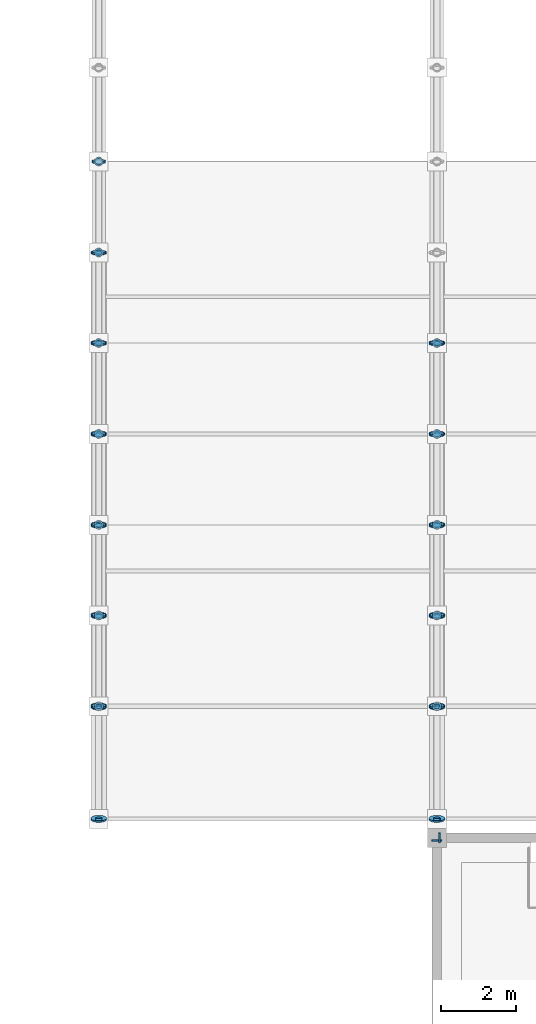
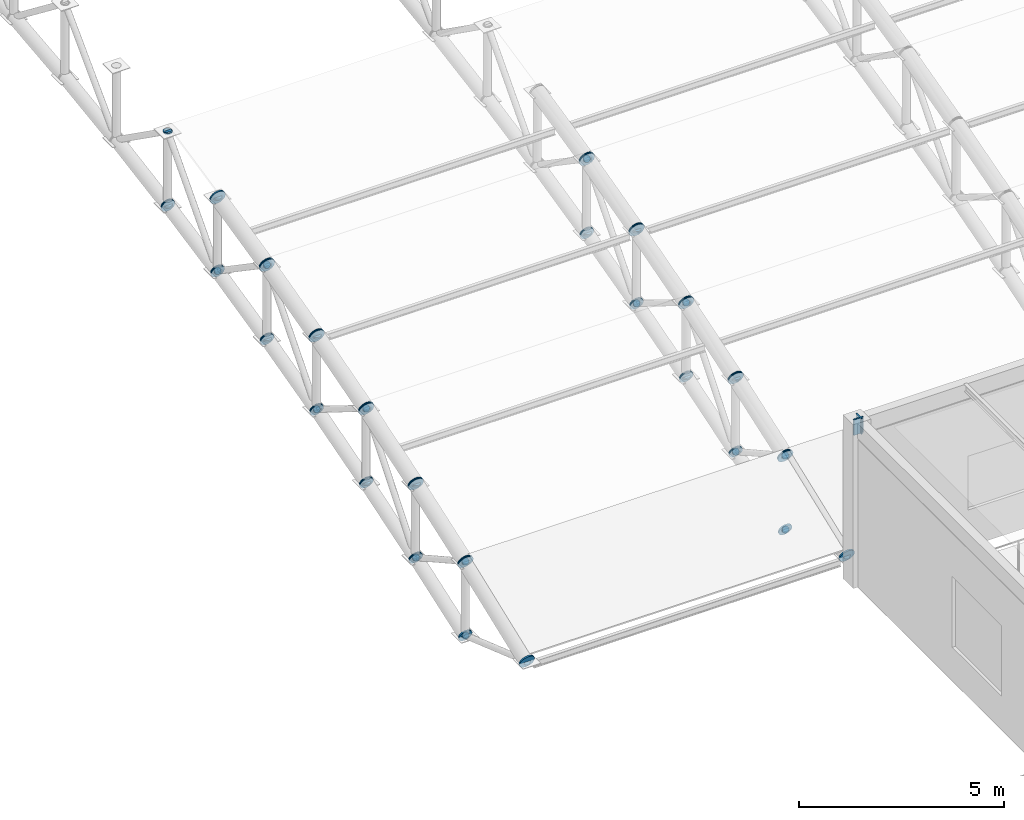
# One storey, part 145 of 195: 96 discrete accessories.
"""IFC4 building model written with IfcOpenShell, lengths in metres."""

from ifc_helpers import new_model, si_unit, direction, frame, origin, origin_2d, place, context, subcontext, project, spatial, rectangle, circle, extrude, material, element, save


model = new_model("IFC4")

# Units and contexts
model_context = context("Model", 3, precision=1e-05, world=origin(), true_north=direction((0.0, 1.0)))
body_context = subcontext(model_context, "Body", "Model", "MODEL_VIEW")
ifc_project = project(units=[si_unit("LENGTHUNIT", "METRE"), si_unit("AREAUNIT", "SQUARE_METRE"), si_unit("VOLUMEUNIT", "CUBIC_METRE"), si_unit("PLANEANGLEUNIT", "RADIAN"), si_unit("MASSUNIT", "GRAM", prefix="KILO")], contexts=[model_context])

# Site, building, storey
site_placement = place(None, origin())
site = spatial("IfcSite", under=ifc_project, at=site_placement, CompositionType="ELEMENT")
building_placement = place(site_placement, origin())
building = spatial("IfcBuilding", under=site, at=building_placement, Name="Marlcrest Central Station", CompositionType="ELEMENT")
storey_placement = place(building_placement, frame((0.0, 0.0, 9.800048828125)))
storey = spatial("IfcBuildingStorey", under=building, at=storey_placement, Name="L02", CompositionType="ELEMENT", Elevation=9.800048828125)

# Discrete accessories
ifc_material = material(Name="Steel S355", Category="steel")
for number, where, z_axis, x_axis, name in (
    (1, (153.045166015625, 33.0, 4.64501953125), (1.0, 0.0, 0.0), (0.0, 1.0, 0.0), "endcap-bm-SP-02-L02-00973-s"),
    (2, (153.0, 32.9150390625, 4.64501953125), (0.0, 1.0, 0.0), (-1.0, 0.0, 0.0), "endcap-bm-SP-02-L02-00981-e"),
):
    element("IfcDiscreteAccessory", number, at=place(storey_placement, frame(where, z_axis=z_axis, x_axis=x_axis)), inside=storey, material=ifc_material, Name=name, ObjectType="END_CAP_PLATE", PredefinedType="BRACKET", context=body_context, shape_type="SweptSolid", body=[
        extrude(rectangle(XDim=0.26611328125, YDim=0.466064453125, at=origin_2d()), origin(), (0.0, 0.0, 1.0), 0.0400390625),
    ])
for number, where, z_axis, x_axis, name in (
    (3, (144.0, 33.486083984375, 0.4404296875), (0.0, 0.933324071143, 0.359035065453), (-1.0, 0.0, 0.0), "endcap-mem-AC-01-L02-01090-s"),
    (4, (144.0, 36.4765625, 1.5908203125), (0.0, 0.933324071143, 0.359035065453), (-1.0, 0.0, 0.0), "endcap-mem-AC-01-L02-01090-e"),
):
    element("IfcDiscreteAccessory", number, at=place(storey_placement, frame(where, z_axis=z_axis, x_axis=x_axis)), inside=storey, material=ifc_material, Name=name, ObjectType="END_CAP_PLATE", PredefinedType="BRACKET", context=body_context, shape_type="SweptSolid", body=[
        extrude(circle(Radius=0.211181640625, at=origin_2d()), origin(), (0.0, 0.0, 1.0), 0.0400390625),
    ])
for number, where, z_axis, x_axis, name in (
    (5, (144.0, 36.51416015625, -0.60498046875), (0.0, -0.944260188635, 0.329200085296), (1.0, 0.0, 0.0), "endcap-mem-AD-01-L02-01091-s"),
    (6, (144.0, 33.523681640625, 0.4375), (0.0, -0.944260188635, 0.329200085296), (1.0, 0.0, 0.0), "endcap-mem-AD-01-L02-01091-e"),
):
    element("IfcDiscreteAccessory", number, at=place(storey_placement, frame(where, z_axis=z_axis, x_axis=x_axis)), inside=storey, material=ifc_material, Name=name, ObjectType="END_CAP_PLATE", PredefinedType="BRACKET", context=body_context, shape_type="SweptSolid", body=[
        extrude(circle(Radius=0.092041015625, at=origin_2d()), origin(), (0.0, 0.0, 1.0), 0.0400390625),
    ])
for number, where, z_axis, x_axis, name in (
    (7, (144.0, 36.48583984375, 1.594970703125), (0.0, 0.94353735649, 0.331266142109), (-1.0, 0.0, 0.0), "endcap-mem-AC-01-L02-01092-s"),
    (8, (144.0, 38.896240234375, 2.441162109375), (0.0, 0.94353735649, 0.331266142109), (-1.0, 0.0, 0.0), "endcap-mem-AC-01-L02-01092-e"),
):
    element("IfcDiscreteAccessory", number, at=place(storey_placement, frame(where, z_axis=z_axis, x_axis=x_axis)), inside=storey, material=ifc_material, Name=name, ObjectType="END_CAP_PLATE", PredefinedType="BRACKET", context=body_context, shape_type="SweptSolid", body=[
        extrude(circle(Radius=0.211181640625, at=origin_2d()), origin(), (0.0, 0.0, 1.0), 0.0400390625),
    ])
for number, where, z_axis, x_axis, name in (
    (9, (144.0, 36.48583984375, -0.60498046875), (0.0, 0.94353735649, 0.331266142109), (-1.0, 0.0, 0.0), "endcap-mem-AC-02-L02-01093-s"),
    (10, (144.0, 38.896240234375, 0.2412109375), (0.0, 0.94353735649, 0.331266142109), (-1.0, 0.0, 0.0), "endcap-mem-AC-02-L02-01093-e"),
):
    element("IfcDiscreteAccessory", number, at=place(storey_placement, frame(where, z_axis=z_axis, x_axis=x_axis)), inside=storey, material=ifc_material, Name=name, ObjectType="END_CAP_PLATE", PredefinedType="BRACKET", context=body_context, shape_type="SweptSolid", body=[
        extrude(circle(Radius=0.185791015625, at=origin_2d()), origin(), (0.0, 0.0, 1.0), 0.0400390625),
    ])
for number, where, z_axis, x_axis, name in (
    (11, (144.0, 36.5, -0.614990234375), (0.0, 0.0, 1.0), (1.0, 0.0, 0.0), "endcap-mem-AP-01-L02-01094-s"),
    (12, (144.0, 36.5, 1.574951171875), (0.0, 0.0, 1.0), (1.0, 0.0, 0.0), "endcap-mem-AP-01-L02-01094-e"),
):
    element("IfcDiscreteAccessory", number, at=place(storey_placement, frame(where, z_axis=z_axis, x_axis=x_axis)), inside=storey, material=ifc_material, Name=name, ObjectType="END_CAP_PLATE", PredefinedType="BRACKET", context=body_context, shape_type="SweptSolid", body=[
        extrude(circle(Radius=0.117431640625, at=origin_2d()), origin(), (0.0, 0.0, 1.0), 0.0400390625),
    ])
for number, where, z_axis, x_axis, name in (
    (13, (144.0, 36.48681640625, 1.607177734375), (0.0, 0.873245653167, -0.487280236851), (-1.0, 0.0, 0.0), "endcap-mem-AD-01-L02-01095-s"),
    (14, (144.0, 38.898193359375, 0.26171875), (0.0, 0.873245653167, -0.487280236851), (-1.0, 0.0, 0.0), "endcap-mem-AD-01-L02-01095-e"),
):
    element("IfcDiscreteAccessory", number, at=place(storey_placement, frame(where, z_axis=z_axis, x_axis=x_axis)), inside=storey, material=ifc_material, Name=name, ObjectType="END_CAP_PLATE", PredefinedType="BRACKET", context=body_context, shape_type="SweptSolid", body=[
        extrude(circle(Radius=0.092041015625, at=origin_2d()), origin(), (0.0, 0.0, 1.0), 0.0400390625),
    ])
for number, where, z_axis, x_axis, name in (
    (15, (144.0, 38.90576171875, 2.44482421875), (0.0, 0.952116828449, 0.305734435391), (-1.0, 0.0, 0.0), "endcap-mem-AC-01-L02-01096-s"),
    (16, (144.0, 41.306396484375, 3.2158203125), (0.0, 0.952116828449, 0.305734435391), (-1.0, 0.0, 0.0), "endcap-mem-AC-01-L02-01096-e"),
):
    element("IfcDiscreteAccessory", number, at=place(storey_placement, frame(where, z_axis=z_axis, x_axis=x_axis)), inside=storey, material=ifc_material, Name=name, ObjectType="END_CAP_PLATE", PredefinedType="BRACKET", context=body_context, shape_type="SweptSolid", body=[
        extrude(circle(Radius=0.211181640625, at=origin_2d()), origin(), (0.0, 0.0, 1.0), 0.0400390625),
    ])
for number, where, z_axis, x_axis, name in (
    (17, (144.0, 38.90576171875, 0.244873046875), (0.0, 0.952116828449, 0.305734435391), (-1.0, 0.0, 0.0), "endcap-mem-AC-02-L02-01097-s"),
    (18, (144.0, 41.306396484375, 1.015869140625), (0.0, 0.952116828449, 0.305734435391), (-1.0, 0.0, 0.0), "endcap-mem-AC-02-L02-01097-e"),
):
    element("IfcDiscreteAccessory", number, at=place(storey_placement, frame(where, z_axis=z_axis, x_axis=x_axis)), inside=storey, material=ifc_material, Name=name, ObjectType="END_CAP_PLATE", PredefinedType="BRACKET", context=body_context, shape_type="SweptSolid", body=[
        extrude(circle(Radius=0.185791015625, at=origin_2d()), origin(), (0.0, 0.0, 1.0), 0.0400390625),
    ])
for number, where, z_axis, x_axis, name in (
    (19, (144.0, 38.919921875, 0.234619140625), (0.0, 0.0, 1.0), (1.0, 0.0, 0.0), "endcap-mem-AP-01-L02-01098-s"),
    (20, (144.0, 38.919921875, 2.424560546875), (0.0, 0.0, 1.0), (1.0, 0.0, 0.0), "endcap-mem-AP-01-L02-01098-e"),
):
    element("IfcDiscreteAccessory", number, at=place(storey_placement, frame(where, z_axis=z_axis, x_axis=x_axis)), inside=storey, material=ifc_material, Name=name, ObjectType="END_CAP_PLATE", PredefinedType="BRACKET", context=body_context, shape_type="SweptSolid", body=[
        extrude(circle(Radius=0.117431640625, at=origin_2d()), origin(), (0.0, 0.0, 1.0), 0.0400390625),
    ])
for number, where, z_axis, x_axis, name in (
    (21, (144.0, 38.910400390625, 0.23779296875), (0.0, 0.62962929743, 0.776895712318), (-1.0, 0.0, 0.0), "endcap-mem-AD-01-L02-01099-s"),
    (22, (144.0, 41.314453125, 3.203857421875), (0.0, 0.62962929743, 0.776895712318), (-1.0, 0.0, 0.0), "endcap-mem-AD-01-L02-01099-e"),
):
    element("IfcDiscreteAccessory", number, at=place(storey_placement, frame(where, z_axis=z_axis, x_axis=x_axis)), inside=storey, material=ifc_material, Name=name, ObjectType="END_CAP_PLATE", PredefinedType="BRACKET", context=body_context, shape_type="SweptSolid", body=[
        extrude(circle(Radius=0.092041015625, at=origin_2d()), origin(), (0.0, 0.0, 1.0), 0.0400390625),
    ])
for number, where, z_axis, x_axis, name in (
    (23, (144.0, 41.315673828125, 3.21923828125), (0.0, 0.960130083362, 0.27955361386), (-1.0, 0.0, 0.0), "endcap-mem-AC-01-L02-01100-s"),
    (24, (144.0, 43.72607421875, 3.9208984375), (0.0, 0.960130083362, 0.27955361386), (-1.0, 0.0, 0.0), "endcap-mem-AC-01-L02-01100-e"),
):
    element("IfcDiscreteAccessory", number, at=place(storey_placement, frame(where, z_axis=z_axis, x_axis=x_axis)), inside=storey, material=ifc_material, Name=name, ObjectType="END_CAP_PLATE", PredefinedType="BRACKET", context=body_context, shape_type="SweptSolid", body=[
        extrude(circle(Radius=0.211181640625, at=origin_2d()), origin(), (0.0, 0.0, 1.0), 0.0400390625),
    ])
for number, where, z_axis, x_axis, name in (
    (25, (144.0, 41.315673828125, 1.019287109375), (0.0, 0.960130083362, 0.27955361386), (-1.0, 0.0, 0.0), "endcap-mem-AC-02-L02-01101-s"),
    (26, (144.0, 43.72607421875, 1.720947265625), (0.0, 0.960130083362, 0.27955361386), (-1.0, 0.0, 0.0), "endcap-mem-AC-02-L02-01101-e"),
):
    element("IfcDiscreteAccessory", number, at=place(storey_placement, frame(where, z_axis=z_axis, x_axis=x_axis)), inside=storey, material=ifc_material, Name=name, ObjectType="END_CAP_PLATE", PredefinedType="BRACKET", context=body_context, shape_type="SweptSolid", body=[
        extrude(circle(Radius=0.185791015625, at=origin_2d()), origin(), (0.0, 0.0, 1.0), 0.0400390625),
    ])
for number, where, z_axis, x_axis, name in (
    (27, (144.0, 41.330078125, 1.008544921875), (0.0, 0.0, 1.0), (1.0, 0.0, 0.0), "endcap-mem-AP-01-L02-01102-s"),
    (28, (144.0, 41.330078125, 3.198486328125), (0.0, 0.0, 1.0), (1.0, 0.0, 0.0), "endcap-mem-AP-01-L02-01102-e"),
):
    element("IfcDiscreteAccessory", number, at=place(storey_placement, frame(where, z_axis=z_axis, x_axis=x_axis)), inside=storey, material=ifc_material, Name=name, ObjectType="END_CAP_PLATE", PredefinedType="BRACKET", context=body_context, shape_type="SweptSolid", body=[
        extrude(circle(Radius=0.117431640625, at=origin_2d()), origin(), (0.0, 0.0, 1.0), 0.0400390625),
    ])
for number, where, z_axis, x_axis, name in (
    (29, (144.0, 41.3173828125, 3.231201171875), (0.0, 0.850687380038, -0.525671933286), (-1.0, 0.0, 0.0), "endcap-mem-AD-01-L02-01103-s"),
    (30, (144.0, 43.728759765625, 1.7412109375), (0.0, 0.850687380038, -0.525671933286), (-1.0, 0.0, 0.0), "endcap-mem-AD-01-L02-01103-e"),
):
    element("IfcDiscreteAccessory", number, at=place(storey_placement, frame(where, z_axis=z_axis, x_axis=x_axis)), inside=storey, material=ifc_material, Name=name, ObjectType="END_CAP_PLATE", PredefinedType="BRACKET", context=body_context, shape_type="SweptSolid", body=[
        extrude(circle(Radius=0.092041015625, at=origin_2d()), origin(), (0.0, 0.0, 1.0), 0.0400390625),
    ])
for number, where, z_axis, x_axis, name in (
    (31, (144.0, 43.735595703125, 3.924072265625), (0.0, 0.967539481681, 0.252719906989), (-1.0, 0.0, 0.0), "endcap-mem-AC-01-L02-01104-s"),
    (32, (144.0, 46.145751953125, 4.5537109375), (0.0, 0.967539481681, 0.252719906989), (-1.0, 0.0, 0.0), "endcap-mem-AC-01-L02-01104-e"),
):
    element("IfcDiscreteAccessory", number, at=place(storey_placement, frame(where, z_axis=z_axis, x_axis=x_axis)), inside=storey, material=ifc_material, Name=name, ObjectType="END_CAP_PLATE", PredefinedType="BRACKET", context=body_context, shape_type="SweptSolid", body=[
        extrude(circle(Radius=0.211181640625, at=origin_2d()), origin(), (0.0, 0.0, 1.0), 0.0400390625),
    ])
for number, where, z_axis, x_axis, name in (
    (33, (144.0, 43.735595703125, 1.72412109375), (0.0, 0.967563345928, 0.252628524946), (-1.0, 0.0, 0.0), "endcap-mem-AC-02-L02-01105-s"),
    (34, (144.0, 46.145751953125, 2.353515625), (0.0, 0.967563345928, 0.252628524946), (-1.0, 0.0, 0.0), "endcap-mem-AC-02-L02-01105-e"),
):
    element("IfcDiscreteAccessory", number, at=place(storey_placement, frame(where, z_axis=z_axis, x_axis=x_axis)), inside=storey, material=ifc_material, Name=name, ObjectType="END_CAP_PLATE", PredefinedType="BRACKET", context=body_context, shape_type="SweptSolid", body=[
        extrude(circle(Radius=0.185791015625, at=origin_2d()), origin(), (0.0, 0.0, 1.0), 0.0400390625),
    ])
for number, where, z_axis, x_axis, name in (
    (35, (144.0, 43.75, 1.713134765625), (0.0, 0.0, 1.0), (1.0, 0.0, 0.0), "endcap-mem-AP-01-L02-01106-s"),
    (36, (144.0, 43.75, 3.903076171875), (0.0, 0.0, 1.0), (1.0, 0.0, 0.0), "endcap-mem-AP-01-L02-01106-e"),
):
    element("IfcDiscreteAccessory", number, at=place(storey_placement, frame(where, z_axis=z_axis, x_axis=x_axis)), inside=storey, material=ifc_material, Name=name, ObjectType="END_CAP_PLATE", PredefinedType="BRACKET", context=body_context, shape_type="SweptSolid", body=[
        extrude(circle(Radius=0.117431640625, at=origin_2d()), origin(), (0.0, 0.0, 1.0), 0.0400390625),
    ])
for number, where, z_axis, x_axis, name in (
    (37, (144.0, 43.740234375, 1.716552734375), (0.0, 0.649624779144, 0.760254987699), (-1.0, 0.0, 0.0), "endcap-mem-AD-01-L02-01107-s"),
    (38, (144.0, 46.153564453125, 4.541015625), (0.0, 0.649624779144, 0.760254987699), (-1.0, 0.0, 0.0), "endcap-mem-AD-01-L02-01107-e"),
):
    element("IfcDiscreteAccessory", number, at=place(storey_placement, frame(where, z_axis=z_axis, x_axis=x_axis)), inside=storey, material=ifc_material, Name=name, ObjectType="END_CAP_PLATE", PredefinedType="BRACKET", context=body_context, shape_type="SweptSolid", body=[
        extrude(circle(Radius=0.092041015625, at=origin_2d()), origin(), (0.0, 0.0, 1.0), 0.0400390625),
    ])
for number, where, z_axis, x_axis, name in (
    (39, (144.0, 46.1552734375, 4.556640625), (0.0, 0.974329612642, 0.225126200004), (-1.0, 0.0, 0.0), "endcap-mem-AC-01-L02-01108-s"),
    (40, (144.0, 48.5556640625, 5.111328125), (0.0, 0.974329612642, 0.225126200004), (-1.0, 0.0, 0.0), "endcap-mem-AC-01-L02-01108-e"),
):
    element("IfcDiscreteAccessory", number, at=place(storey_placement, frame(where, z_axis=z_axis, x_axis=x_axis)), inside=storey, material=ifc_material, Name=name, ObjectType="END_CAP_PLATE", PredefinedType="BRACKET", context=body_context, shape_type="SweptSolid", body=[
        extrude(circle(Radius=0.211181640625, at=origin_2d()), origin(), (0.0, 0.0, 1.0), 0.0400390625),
    ])
for number, where, z_axis, x_axis, name in (
    (41, (144.0, 46.1552734375, 2.3564453125), (0.0, 0.974307959875, 0.225219891049), (-1.0, 0.0, 0.0), "endcap-mem-AC-02-L02-01109-s"),
    (42, (144.0, 48.5556640625, 2.911376953125), (0.0, 0.974307959875, 0.225219891049), (-1.0, 0.0, 0.0), "endcap-mem-AC-02-L02-01109-e"),
):
    element("IfcDiscreteAccessory", number, at=place(storey_placement, frame(where, z_axis=z_axis, x_axis=x_axis)), inside=storey, material=ifc_material, Name=name, ObjectType="END_CAP_PLATE", PredefinedType="BRACKET", context=body_context, shape_type="SweptSolid", body=[
        extrude(circle(Radius=0.185791015625, at=origin_2d()), origin(), (0.0, 0.0, 1.0), 0.0400390625),
    ])
for number, where, z_axis, x_axis, name in (
    (43, (144.0, 46.169921875, 2.344970703125), (0.0, 0.0, 1.0), (1.0, 0.0, 0.0), "endcap-mem-AP-01-L02-01110-s"),
    (44, (144.0, 46.169921875, 4.53515625), (0.0, 0.0, 1.0), (1.0, 0.0, 0.0), "endcap-mem-AP-01-L02-01110-e"),
):
    element("IfcDiscreteAccessory", number, at=place(storey_placement, frame(where, z_axis=z_axis, x_axis=x_axis)), inside=storey, material=ifc_material, Name=name, ObjectType="END_CAP_PLATE", PredefinedType="BRACKET", context=body_context, shape_type="SweptSolid", body=[
        extrude(circle(Radius=0.117431640625, at=origin_2d()), origin(), (0.0, 0.0, 1.0), 0.0400390625),
    ])
for number, where, z_axis, x_axis, name in (
    (45, (144.0, 46.157470703125, 4.568603515625), (0.0, 0.82626275624, -0.563284881432), (-1.0, 0.0, 0.0), "endcap-mem-AD-01-L02-01111-s"),
    (46, (144.0, 48.559326171875, 2.93115234375), (0.0, 0.82626275624, -0.563284881432), (-1.0, 0.0, 0.0), "endcap-mem-AD-01-L02-01111-e"),
):
    element("IfcDiscreteAccessory", number, at=place(storey_placement, frame(where, z_axis=z_axis, x_axis=x_axis)), inside=storey, material=ifc_material, Name=name, ObjectType="END_CAP_PLATE", PredefinedType="BRACKET", context=body_context, shape_type="SweptSolid", body=[
        extrude(circle(Radius=0.092041015625, at=origin_2d()), origin(), (0.0, 0.0, 1.0), 0.0400390625),
    ])
for number, where, z_axis, x_axis, name in (
    (47, (144.0, 48.5654296875, 2.9140625), (0.0, 0.980359417961, 0.197219196874), (-1.0, 0.0, 0.0), "endcap-mem-AC-02-L02-01113-s"),
    (48, (144.0, 50.9755859375, 3.39892578125), (0.0, 0.980359417961, 0.197219196874), (-1.0, 0.0, 0.0), "endcap-mem-AC-02-L02-01113-e"),
):
    element("IfcDiscreteAccessory", number, at=place(storey_placement, frame(where, z_axis=z_axis, x_axis=x_axis)), inside=storey, material=ifc_material, Name=name, ObjectType="END_CAP_PLATE", PredefinedType="BRACKET", context=body_context, shape_type="SweptSolid", body=[
        extrude(circle(Radius=0.185791015625, at=origin_2d()), origin(), (0.0, 0.0, 1.0), 0.0400390625),
    ])
for number, where, z_axis, x_axis, name in (
    (49, (144.0, 48.580078125, 2.902099609375), (0.0, 0.0, 1.0), (1.0, 0.0, 0.0), "endcap-mem-AP-01-L02-01114-s"),
    (50, (144.0, 48.580078125, 5.092041015625), (0.0, 0.0, 1.0), (1.0, 0.0, 0.0), "endcap-mem-AP-01-L02-01114-e"),
):
    element("IfcDiscreteAccessory", number, at=place(storey_placement, frame(where, z_axis=z_axis, x_axis=x_axis)), inside=storey, material=ifc_material, Name=name, ObjectType="END_CAP_PLATE", PredefinedType="BRACKET", context=body_context, shape_type="SweptSolid", body=[
        extrude(circle(Radius=0.117431640625, at=origin_2d()), origin(), (0.0, 0.0, 1.0), 0.0400390625),
    ])
for number, where, z_axis, x_axis, name in (
    (51, (144.0, 48.570068359375, 2.90576171875), (0.0, 0.669244457479, 0.743042297675), (-1.0, 0.0, 0.0), "endcap-mem-AD-01-L02-01115-s"),
    (52, (144.0, 50.983154296875, 5.585205078125), (0.0, 0.669244457479, 0.743042297675), (-1.0, 0.0, 0.0), "endcap-mem-AD-01-L02-01115-e"),
):
    element("IfcDiscreteAccessory", number, at=place(storey_placement, frame(where, z_axis=z_axis, x_axis=x_axis)), inside=storey, material=ifc_material, Name=name, ObjectType="END_CAP_PLATE", PredefinedType="BRACKET", context=body_context, shape_type="SweptSolid", body=[
        extrude(circle(Radius=0.092041015625, at=origin_2d()), origin(), (0.0, 0.0, 1.0), 0.0400390625),
    ])
discrete_accessory_1_placement = place(storey_placement, frame((144.0, 50.985107421875, 3.4013671875), z_axis=(0.0, 0.98574109921, 0.168269086076), x_axis=(-1.0, 0.0, 0.0)))
element("IfcDiscreteAccessory", 53, at=discrete_accessory_1_placement, inside=storey, material=ifc_material, Name="endcap-mem-AC-02-L02-01117-s", ObjectType="END_CAP_PLATE", PredefinedType="BRACKET", context=body_context, shape_type="SweptSolid", body=[
    extrude(circle(Radius=0.185791015625, at=origin_2d()), origin(), (0.0, 0.0, 1.0), 0.0400390625),
])
for number, where, z_axis, x_axis, name in (
    (54, (144.0, 51.0, 3.388916015625), (0.0, 0.0, 1.0), (1.0, 0.0, 0.0), "endcap-mem-AP-01-L02-01118-s"),
    (55, (144.0, 51.0, 5.578857421875), (0.0, 0.0, 1.0), (1.0, 0.0, 0.0), "endcap-mem-AP-01-L02-01118-e"),
):
    element("IfcDiscreteAccessory", number, at=place(storey_placement, frame(where, z_axis=z_axis, x_axis=x_axis)), inside=storey, material=ifc_material, Name=name, ObjectType="END_CAP_PLATE", PredefinedType="BRACKET", context=body_context, shape_type="SweptSolid", body=[
        extrude(circle(Radius=0.117431640625, at=origin_2d()), origin(), (0.0, 0.0, 1.0), 0.0400390625),
    ])
for number, where, z_axis, x_axis, name in (
    (56, (153.0, 33.486083984375, 0.4404296875), (0.0, 0.933324071143, 0.359035065453), (-1.0, 0.0, 0.0), "endcap-mem-AC-01-L02-01206-s"),
    (57, (153.0, 36.4765625, 1.5908203125), (0.0, 0.933324071143, 0.359035065453), (-1.0, 0.0, 0.0), "endcap-mem-AC-01-L02-01206-e"),
):
    element("IfcDiscreteAccessory", number, at=place(storey_placement, frame(where, z_axis=z_axis, x_axis=x_axis)), inside=storey, material=ifc_material, Name=name, ObjectType="END_CAP_PLATE", PredefinedType="BRACKET", context=body_context, shape_type="SweptSolid", body=[
        extrude(circle(Radius=0.211181640625, at=origin_2d()), origin(), (0.0, 0.0, 1.0), 0.0400390625),
    ])
for number, where, z_axis, x_axis, name in (
    (58, (153.0, 36.51416015625, -0.60498046875), (0.0, -0.944260188635, 0.329200085296), (1.0, 0.0, 0.0), "endcap-mem-AD-01-L02-01207-s"),
    (59, (153.0, 33.523681640625, 0.4375), (0.0, -0.944260188635, 0.329200085296), (1.0, 0.0, 0.0), "endcap-mem-AD-01-L02-01207-e"),
):
    element("IfcDiscreteAccessory", number, at=place(storey_placement, frame(where, z_axis=z_axis, x_axis=x_axis)), inside=storey, material=ifc_material, Name=name, ObjectType="END_CAP_PLATE", PredefinedType="BRACKET", context=body_context, shape_type="SweptSolid", body=[
        extrude(circle(Radius=0.092041015625, at=origin_2d()), origin(), (0.0, 0.0, 1.0), 0.0400390625),
    ])
for number, where, z_axis, x_axis, name in (
    (60, (153.0, 36.48583984375, 1.594970703125), (0.0, 0.94353735649, 0.331266142109), (-1.0, 0.0, 0.0), "endcap-mem-AC-01-L02-01208-s"),
    (61, (153.0, 38.896240234375, 2.441162109375), (0.0, 0.94353735649, 0.331266142109), (-1.0, 0.0, 0.0), "endcap-mem-AC-01-L02-01208-e"),
):
    element("IfcDiscreteAccessory", number, at=place(storey_placement, frame(where, z_axis=z_axis, x_axis=x_axis)), inside=storey, material=ifc_material, Name=name, ObjectType="END_CAP_PLATE", PredefinedType="BRACKET", context=body_context, shape_type="SweptSolid", body=[
        extrude(circle(Radius=0.211181640625, at=origin_2d()), origin(), (0.0, 0.0, 1.0), 0.0400390625),
    ])
for number, where, z_axis, x_axis, name in (
    (62, (153.0, 36.48583984375, -0.60498046875), (0.0, 0.94353735649, 0.331266142109), (-1.0, 0.0, 0.0), "endcap-mem-AC-02-L02-01209-s"),
    (63, (153.0, 38.896240234375, 0.2412109375), (0.0, 0.94353735649, 0.331266142109), (-1.0, 0.0, 0.0), "endcap-mem-AC-02-L02-01209-e"),
):
    element("IfcDiscreteAccessory", number, at=place(storey_placement, frame(where, z_axis=z_axis, x_axis=x_axis)), inside=storey, material=ifc_material, Name=name, ObjectType="END_CAP_PLATE", PredefinedType="BRACKET", context=body_context, shape_type="SweptSolid", body=[
        extrude(circle(Radius=0.185791015625, at=origin_2d()), origin(), (0.0, 0.0, 1.0), 0.0400390625),
    ])
for number, where, z_axis, x_axis, name in (
    (64, (153.0, 36.5, -0.614990234375), (0.0, 0.0, 1.0), (1.0, 0.0, 0.0), "endcap-mem-AP-01-L02-01210-s"),
    (65, (153.0, 36.5, 1.574951171875), (0.0, 0.0, 1.0), (1.0, 0.0, 0.0), "endcap-mem-AP-01-L02-01210-e"),
):
    element("IfcDiscreteAccessory", number, at=place(storey_placement, frame(where, z_axis=z_axis, x_axis=x_axis)), inside=storey, material=ifc_material, Name=name, ObjectType="END_CAP_PLATE", PredefinedType="BRACKET", context=body_context, shape_type="SweptSolid", body=[
        extrude(circle(Radius=0.117431640625, at=origin_2d()), origin(), (0.0, 0.0, 1.0), 0.0400390625),
    ])
for number, where, z_axis, x_axis, name in (
    (66, (153.0, 36.48681640625, 1.607177734375), (0.0, 0.873245653167, -0.487280236851), (-1.0, 0.0, 0.0), "endcap-mem-AD-01-L02-01211-s"),
    (67, (153.0, 38.898193359375, 0.26171875), (0.0, 0.873245653167, -0.487280236851), (-1.0, 0.0, 0.0), "endcap-mem-AD-01-L02-01211-e"),
):
    element("IfcDiscreteAccessory", number, at=place(storey_placement, frame(where, z_axis=z_axis, x_axis=x_axis)), inside=storey, material=ifc_material, Name=name, ObjectType="END_CAP_PLATE", PredefinedType="BRACKET", context=body_context, shape_type="SweptSolid", body=[
        extrude(circle(Radius=0.092041015625, at=origin_2d()), origin(), (0.0, 0.0, 1.0), 0.0400390625),
    ])
for number, where, z_axis, x_axis, name in (
    (68, (153.0, 38.90576171875, 2.44482421875), (0.0, 0.952116828449, 0.305734435391), (-1.0, 0.0, 0.0), "endcap-mem-AC-01-L02-01212-s"),
    (69, (153.0, 41.306396484375, 3.2158203125), (0.0, 0.952116828449, 0.305734435391), (-1.0, 0.0, 0.0), "endcap-mem-AC-01-L02-01212-e"),
):
    element("IfcDiscreteAccessory", number, at=place(storey_placement, frame(where, z_axis=z_axis, x_axis=x_axis)), inside=storey, material=ifc_material, Name=name, ObjectType="END_CAP_PLATE", PredefinedType="BRACKET", context=body_context, shape_type="SweptSolid", body=[
        extrude(circle(Radius=0.211181640625, at=origin_2d()), origin(), (0.0, 0.0, 1.0), 0.0400390625),
    ])
for number, where, z_axis, x_axis, name in (
    (70, (153.0, 38.90576171875, 0.244873046875), (0.0, 0.952116828449, 0.305734435391), (-1.0, 0.0, 0.0), "endcap-mem-AC-02-L02-01213-s"),
    (71, (153.0, 41.306396484375, 1.015869140625), (0.0, 0.952116828449, 0.305734435391), (-1.0, 0.0, 0.0), "endcap-mem-AC-02-L02-01213-e"),
):
    element("IfcDiscreteAccessory", number, at=place(storey_placement, frame(where, z_axis=z_axis, x_axis=x_axis)), inside=storey, material=ifc_material, Name=name, ObjectType="END_CAP_PLATE", PredefinedType="BRACKET", context=body_context, shape_type="SweptSolid", body=[
        extrude(circle(Radius=0.185791015625, at=origin_2d()), origin(), (0.0, 0.0, 1.0), 0.0400390625),
    ])
for number, where, z_axis, x_axis, name in (
    (72, (153.0, 38.919921875, 0.234619140625), (0.0, 0.0, 1.0), (1.0, 0.0, 0.0), "endcap-mem-AP-01-L02-01214-s"),
    (73, (153.0, 38.919921875, 2.424560546875), (0.0, 0.0, 1.0), (1.0, 0.0, 0.0), "endcap-mem-AP-01-L02-01214-e"),
):
    element("IfcDiscreteAccessory", number, at=place(storey_placement, frame(where, z_axis=z_axis, x_axis=x_axis)), inside=storey, material=ifc_material, Name=name, ObjectType="END_CAP_PLATE", PredefinedType="BRACKET", context=body_context, shape_type="SweptSolid", body=[
        extrude(circle(Radius=0.117431640625, at=origin_2d()), origin(), (0.0, 0.0, 1.0), 0.0400390625),
    ])
for number, where, z_axis, x_axis, name in (
    (74, (153.0, 38.910400390625, 0.23779296875), (0.0, 0.62962929743, 0.776895712318), (-1.0, 0.0, 0.0), "endcap-mem-AD-01-L02-01215-s"),
    (75, (153.0, 41.314453125, 3.203857421875), (0.0, 0.62962929743, 0.776895712318), (-1.0, 0.0, 0.0), "endcap-mem-AD-01-L02-01215-e"),
):
    element("IfcDiscreteAccessory", number, at=place(storey_placement, frame(where, z_axis=z_axis, x_axis=x_axis)), inside=storey, material=ifc_material, Name=name, ObjectType="END_CAP_PLATE", PredefinedType="BRACKET", context=body_context, shape_type="SweptSolid", body=[
        extrude(circle(Radius=0.092041015625, at=origin_2d()), origin(), (0.0, 0.0, 1.0), 0.0400390625),
    ])
for number, where, z_axis, x_axis, name in (
    (76, (153.0, 41.315673828125, 3.21923828125), (0.0, 0.960130083362, 0.27955361386), (-1.0, 0.0, 0.0), "endcap-mem-AC-01-L02-01216-s"),
    (77, (153.0, 43.72607421875, 3.9208984375), (0.0, 0.960130083362, 0.27955361386), (-1.0, 0.0, 0.0), "endcap-mem-AC-01-L02-01216-e"),
):
    element("IfcDiscreteAccessory", number, at=place(storey_placement, frame(where, z_axis=z_axis, x_axis=x_axis)), inside=storey, material=ifc_material, Name=name, ObjectType="END_CAP_PLATE", PredefinedType="BRACKET", context=body_context, shape_type="SweptSolid", body=[
        extrude(circle(Radius=0.211181640625, at=origin_2d()), origin(), (0.0, 0.0, 1.0), 0.0400390625),
    ])
for number, where, z_axis, x_axis, name in (
    (78, (153.0, 41.315673828125, 1.019287109375), (0.0, 0.960130083362, 0.27955361386), (-1.0, 0.0, 0.0), "endcap-mem-AC-02-L02-01217-s"),
    (79, (153.0, 43.72607421875, 1.720947265625), (0.0, 0.960130083362, 0.27955361386), (-1.0, 0.0, 0.0), "endcap-mem-AC-02-L02-01217-e"),
):
    element("IfcDiscreteAccessory", number, at=place(storey_placement, frame(where, z_axis=z_axis, x_axis=x_axis)), inside=storey, material=ifc_material, Name=name, ObjectType="END_CAP_PLATE", PredefinedType="BRACKET", context=body_context, shape_type="SweptSolid", body=[
        extrude(circle(Radius=0.185791015625, at=origin_2d()), origin(), (0.0, 0.0, 1.0), 0.0400390625),
    ])
for number, where, z_axis, x_axis, name in (
    (80, (153.0, 41.330078125, 1.008544921875), (0.0, 0.0, 1.0), (1.0, 0.0, 0.0), "endcap-mem-AP-01-L02-01218-s"),
    (81, (153.0, 41.330078125, 3.198486328125), (0.0, 0.0, 1.0), (1.0, 0.0, 0.0), "endcap-mem-AP-01-L02-01218-e"),
):
    element("IfcDiscreteAccessory", number, at=place(storey_placement, frame(where, z_axis=z_axis, x_axis=x_axis)), inside=storey, material=ifc_material, Name=name, ObjectType="END_CAP_PLATE", PredefinedType="BRACKET", context=body_context, shape_type="SweptSolid", body=[
        extrude(circle(Radius=0.117431640625, at=origin_2d()), origin(), (0.0, 0.0, 1.0), 0.0400390625),
    ])
for number, where, z_axis, x_axis, name in (
    (82, (153.0, 41.3173828125, 3.231201171875), (0.0, 0.850687380038, -0.525671933286), (-1.0, 0.0, 0.0), "endcap-mem-AD-01-L02-01219-s"),
    (83, (153.0, 43.728759765625, 1.7412109375), (0.0, 0.850687380038, -0.525671933286), (-1.0, 0.0, 0.0), "endcap-mem-AD-01-L02-01219-e"),
):
    element("IfcDiscreteAccessory", number, at=place(storey_placement, frame(where, z_axis=z_axis, x_axis=x_axis)), inside=storey, material=ifc_material, Name=name, ObjectType="END_CAP_PLATE", PredefinedType="BRACKET", context=body_context, shape_type="SweptSolid", body=[
        extrude(circle(Radius=0.092041015625, at=origin_2d()), origin(), (0.0, 0.0, 1.0), 0.0400390625),
    ])
for number, where, z_axis, x_axis, name in (
    (84, (153.0, 43.735595703125, 3.924072265625), (0.0, 0.967539481681, 0.252719906989), (-1.0, 0.0, 0.0), "endcap-mem-AC-01-L02-01220-s"),
    (85, (153.0, 46.145751953125, 4.5537109375), (0.0, 0.967539481681, 0.252719906989), (-1.0, 0.0, 0.0), "endcap-mem-AC-01-L02-01220-e"),
):
    element("IfcDiscreteAccessory", number, at=place(storey_placement, frame(where, z_axis=z_axis, x_axis=x_axis)), inside=storey, material=ifc_material, Name=name, ObjectType="END_CAP_PLATE", PredefinedType="BRACKET", context=body_context, shape_type="SweptSolid", body=[
        extrude(circle(Radius=0.211181640625, at=origin_2d()), origin(), (0.0, 0.0, 1.0), 0.0400390625),
    ])
for number, where, z_axis, x_axis, name in (
    (86, (153.0, 43.735595703125, 1.72412109375), (0.0, 0.967563345928, 0.252628524946), (-1.0, 0.0, 0.0), "endcap-mem-AC-02-L02-01221-s"),
    (87, (153.0, 46.145751953125, 2.353515625), (0.0, 0.967563345928, 0.252628524946), (-1.0, 0.0, 0.0), "endcap-mem-AC-02-L02-01221-e"),
):
    element("IfcDiscreteAccessory", number, at=place(storey_placement, frame(where, z_axis=z_axis, x_axis=x_axis)), inside=storey, material=ifc_material, Name=name, ObjectType="END_CAP_PLATE", PredefinedType="BRACKET", context=body_context, shape_type="SweptSolid", body=[
        extrude(circle(Radius=0.185791015625, at=origin_2d()), origin(), (0.0, 0.0, 1.0), 0.0400390625),
    ])
for number, where, z_axis, x_axis, name in (
    (88, (153.0, 43.75, 1.713134765625), (0.0, 0.0, 1.0), (1.0, 0.0, 0.0), "endcap-mem-AP-01-L02-01222-s"),
    (89, (153.0, 43.75, 3.903076171875), (0.0, 0.0, 1.0), (1.0, 0.0, 0.0), "endcap-mem-AP-01-L02-01222-e"),
):
    element("IfcDiscreteAccessory", number, at=place(storey_placement, frame(where, z_axis=z_axis, x_axis=x_axis)), inside=storey, material=ifc_material, Name=name, ObjectType="END_CAP_PLATE", PredefinedType="BRACKET", context=body_context, shape_type="SweptSolid", body=[
        extrude(circle(Radius=0.117431640625, at=origin_2d()), origin(), (0.0, 0.0, 1.0), 0.0400390625),
    ])
for number, where, z_axis, x_axis, name in (
    (90, (153.0, 43.740234375, 1.716552734375), (0.0, 0.649624779144, 0.760254987699), (-1.0, 0.0, 0.0), "endcap-mem-AD-01-L02-01223-s"),
    (91, (153.0, 46.153564453125, 4.541015625), (0.0, 0.649624779144, 0.760254987699), (-1.0, 0.0, 0.0), "endcap-mem-AD-01-L02-01223-e"),
):
    element("IfcDiscreteAccessory", number, at=place(storey_placement, frame(where, z_axis=z_axis, x_axis=x_axis)), inside=storey, material=ifc_material, Name=name, ObjectType="END_CAP_PLATE", PredefinedType="BRACKET", context=body_context, shape_type="SweptSolid", body=[
        extrude(circle(Radius=0.092041015625, at=origin_2d()), origin(), (0.0, 0.0, 1.0), 0.0400390625),
    ])
discrete_accessory_2_placement = place(storey_placement, frame((153.0, 46.1552734375, 4.556640625), z_axis=(0.0, 0.974329612642, 0.225126200004), x_axis=(-1.0, 0.0, 0.0)))
element("IfcDiscreteAccessory", 92, at=discrete_accessory_2_placement, inside=storey, material=ifc_material, Name="endcap-mem-AC-01-L02-01224-s", ObjectType="END_CAP_PLATE", PredefinedType="BRACKET", context=body_context, shape_type="SweptSolid", body=[
    extrude(circle(Radius=0.211181640625, at=origin_2d()), origin(), (0.0, 0.0, 1.0), 0.0400390625),
])
discrete_accessory_3_placement = place(storey_placement, frame((153.0, 46.1552734375, 2.3564453125), z_axis=(0.0, 0.974307959875, 0.225219891049), x_axis=(-1.0, 0.0, 0.0)))
element("IfcDiscreteAccessory", 93, at=discrete_accessory_3_placement, inside=storey, material=ifc_material, Name="endcap-mem-AC-02-L02-01225-s", ObjectType="END_CAP_PLATE", PredefinedType="BRACKET", context=body_context, shape_type="SweptSolid", body=[
    extrude(circle(Radius=0.185791015625, at=origin_2d()), origin(), (0.0, 0.0, 1.0), 0.0400390625),
])
for number, where, z_axis, x_axis, name in (
    (94, (153.0, 46.169921875, 2.344970703125), (0.0, 0.0, 1.0), (1.0, 0.0, 0.0), "endcap-mem-AP-01-L02-01226-s"),
    (95, (153.0, 46.169921875, 4.53515625), (0.0, 0.0, 1.0), (1.0, 0.0, 0.0), "endcap-mem-AP-01-L02-01226-e"),
):
    element("IfcDiscreteAccessory", number, at=place(storey_placement, frame(where, z_axis=z_axis, x_axis=x_axis)), inside=storey, material=ifc_material, Name=name, ObjectType="END_CAP_PLATE", PredefinedType="BRACKET", context=body_context, shape_type="SweptSolid", body=[
        extrude(circle(Radius=0.117431640625, at=origin_2d()), origin(), (0.0, 0.0, 1.0), 0.0400390625),
    ])
discrete_accessory_4_placement = place(storey_placement, frame((153.0, 46.157470703125, 4.568603515625), z_axis=(0.0, 0.82626275624, -0.563284881432), x_axis=(-1.0, 0.0, 0.0)))
element("IfcDiscreteAccessory", 96, at=discrete_accessory_4_placement, inside=storey, material=ifc_material, Name="endcap-mem-AD-01-L02-01227-s", ObjectType="END_CAP_PLATE", PredefinedType="BRACKET", context=body_context, shape_type="SweptSolid", body=[
    extrude(circle(Radius=0.092041015625, at=origin_2d()), origin(), (0.0, 0.0, 1.0), 0.0400390625),
])

save(model, "model.ifc")
